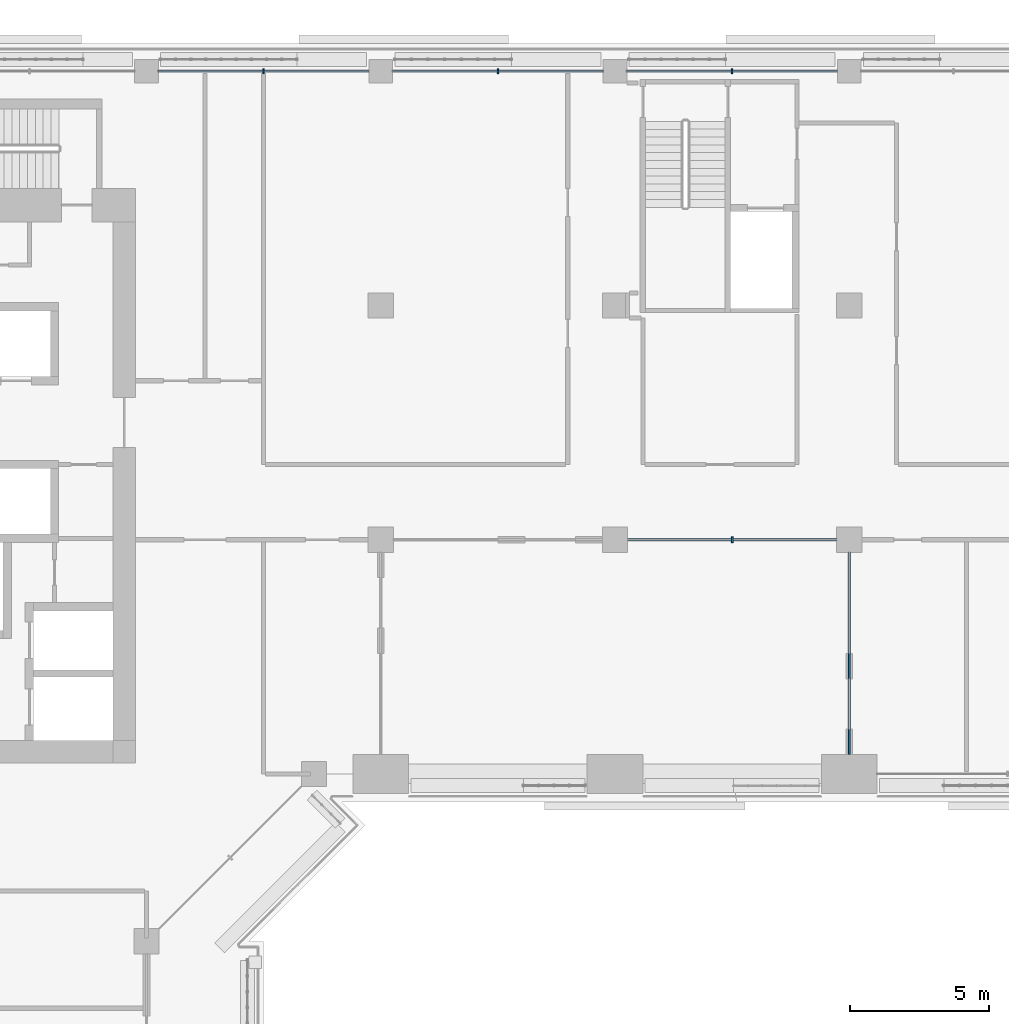
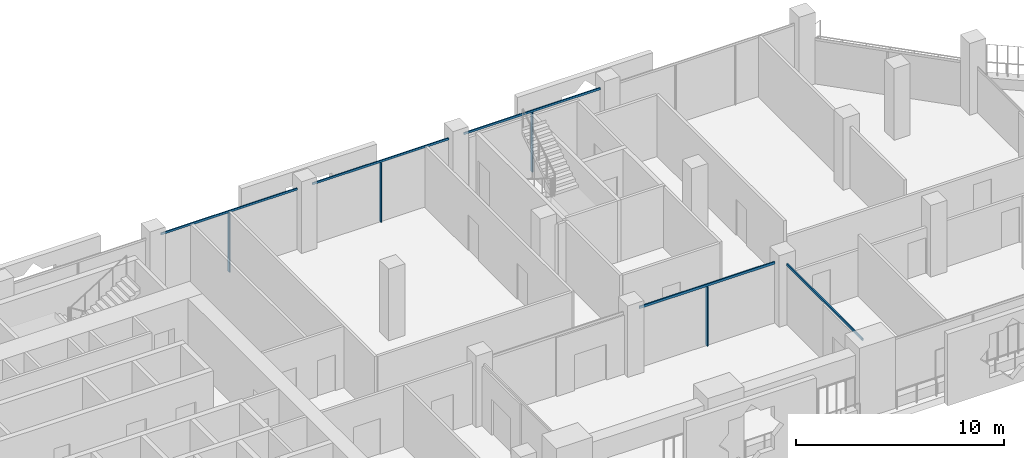
# One storey, part 8 of 24: 9 members, 3 elements without a shape of their own.
"""IFC4 building model written with IfcOpenShell, lengths in metres."""

import ifcopenshell
import ifcopenshell.guid

model = None  # the IFC model being written
_history = None  # IfcOwnerHistory: only IFC2X3 demands one
_inside = {}  # id of a spatial element -> (the spatial element, [elements in it])
_under = {}  # id of a project, library or spatial element -> (it, [spatial elements below it])
_declared = {}  # id of a project -> (the project, [libraries it declares])
_typed = {}  # id of a type object -> (the type object, [elements of that type])
_made_of = {}  # id of a material, layer set ... -> (it, [elements and type objects made of it])


def new_model(schema):
    """Start an empty IFC model of exactly this schema.

    Asked for "IFC4X3", IfcOpenShell would pick the latest addendum, in which some entities
    have other attributes; the version numbers below select the first issue.
    IFC2X3 requires an IfcOwnerHistory on every rooted entity: one is made here for all.
    """
    global model, _history
    if schema == "IFC4X3":
        model = ifcopenshell.file(schema_version=(4, 3, 0, 0))
    else:
        model = ifcopenshell.file(schema=schema)
    _inside.clear()
    _under.clear()
    _declared.clear()
    _typed.clear()
    _made_of.clear()
    _history = None
    if model.schema == "IFC2X3":
        org = make("IfcOrganization", Name="unknown")
        user = make(
            "IfcPersonAndOrganization",
            ThePerson=make("IfcPerson", FamilyName="unknown"),
            TheOrganization=org,
        )
        app = make(
            "IfcApplication",
            ApplicationDeveloper=org,
            Version="unknown",
            ApplicationFullName="unknown",
            ApplicationIdentifier="unknown",
        )
        _history = make(
            "IfcOwnerHistory",
            OwningUser=user,
            OwningApplication=app,
            ChangeAction="ADDED",
            CreationDate=0,
        )
    return model


def make(cls, **values):
    """One entity of the class cls with the attributes given. An attribute that is None is left unset."""
    return model.create_entity(
        cls, **{name: value for name, value in values.items() if value is not None}
    )


def rooted(cls, **values):
    """An entity with a GlobalId (a new one), such as an element, a storey or a relation."""
    return make(cls, GlobalId=ifcopenshell.guid.new(), OwnerHistory=_history, **values)


def si_unit(unit_type, name, prefix=None):
    """IfcSIUnit, for example si_unit("LENGTHUNIT", "METRE", prefix="MILLI")."""
    return make("IfcSIUnit", UnitType=unit_type, Prefix=prefix, Name=name)


def assignment(units):
    """IfcUnitAssignment: the units of a project."""
    return None if units is None else make("IfcUnitAssignment", Units=units)


def point(xyz):
    """IfcCartesianPoint."""
    return None if xyz is None else make("IfcCartesianPoint", Coordinates=xyz)


def direction(xyz):
    """IfcDirection."""
    return None if xyz is None else make("IfcDirection", DirectionRatios=xyz)


def frame(location, z_axis=None, x_axis=None):
    """IfcAxis2Placement3D, a coordinate frame: its origin and axes. An axis left out is left unset."""
    return make(
        "IfcAxis2Placement3D",
        Location=point(location),
        Axis=direction(z_axis),
        RefDirection=direction(x_axis),
    )


def frame_2d(location, x_axis=None):
    """IfcAxis2Placement2D, a coordinate frame in the plane: its origin and x axis."""
    return make(
        "IfcAxis2Placement2D", Location=point(location), RefDirection=direction(x_axis)
    )


def origin():
    """The frame at (0, 0, 0) with its axes left unset."""
    return frame((0.0, 0.0, 0.0))


def origin_2d():
    """The frame at (0, 0) in the plane with its x axis left unset."""
    return frame_2d((0.0, 0.0))


def place(relative_to, where):
    """IfcLocalPlacement: puts the frame where relative to a parent placement (None: the world)."""
    return make(
        "IfcLocalPlacement", PlacementRelTo=relative_to, RelativePlacement=where
    )


def context(
    kind, dimensions, precision=None, world=None, true_north=None, identifier=None
):
    """IfcGeometricRepresentationContext, for example the 3D "Model" context."""
    return make(
        "IfcGeometricRepresentationContext",
        ContextIdentifier=identifier,
        ContextType=kind,
        CoordinateSpaceDimension=dimensions,
        Precision=precision,
        WorldCoordinateSystem=world,
        TrueNorth=true_north,
    )


def subcontext(parent, identifier, kind, view, scale=None):
    """IfcGeometricRepresentationSubContext, for example "Body" below "Model"."""
    return make(
        "IfcGeometricRepresentationSubContext",
        ContextIdentifier=identifier,
        ContextType=kind,
        ParentContext=parent,
        TargetScale=scale,
        TargetView=view,
    )


def project(units=None, contexts=None):
    """IfcProject with its units and contexts."""
    return rooted(
        "IfcProject",
        Name="project",
        RepresentationContexts=contexts,
        UnitsInContext=assignment(units),
    )


def spatial(cls, under=None, at=None, **own):
    """A site, building, storey or space (cls), placed at a placement, below another one or the project."""
    s = rooted(cls, ObjectPlacement=at, **own)
    if under is not None:
        _under.setdefault(under.id(), (under, []))[1].append(s)
    return s


def profile(cls, at=None, kind="AREA", **sizes):
    """A parametric profile (cls). Its sizes go by their IFC names, for example OverallWidth=200.0."""
    return make(cls, ProfileType=kind, Position=at, **sizes)


def rectangle(**sizes):
    """IfcRectangleProfileDef."""
    return profile("IfcRectangleProfileDef", **sizes)


def extrude(swept, where, along, depth):
    """IfcExtrudedAreaSolid: the profile swept, set in the frame where, extruded along a direction by depth."""
    return make(
        "IfcExtrudedAreaSolid",
        SweptArea=swept,
        Position=where,
        ExtrudedDirection=direction(along),
        Depth=depth,
    )


def shape(context_of_items, identifier, shape_type, items):
    """IfcShapeRepresentation: the items that make up one representation, for example the "Body"."""
    return make(
        "IfcShapeRepresentation",
        ContextOfItems=context_of_items,
        RepresentationIdentifier=identifier,
        RepresentationType=shape_type,
        Items=items,
    )


def material(Name=None, Category=None):
    """IfcMaterial."""
    return make("IfcMaterial", Name=Name, Category=Category)


def layer(
    of_material, thickness, ventilated=None, Name=None, Category=None, Priority=None
):
    """IfcMaterialLayer: one layer of a wall or slab, of a material (None: an air gap)."""
    return make(
        "IfcMaterialLayer",
        Material=of_material,
        LayerThickness=thickness,
        IsVentilated=ventilated,
        Name=Name,
        Category=Category,
        Priority=Priority,
    )


def layer_set(layers, Name=None):
    """IfcMaterialLayerSet."""
    return make("IfcMaterialLayerSet", MaterialLayers=layers, LayerSetName=Name)


def material_profile(
    of_material, cross_section, Name=None, Category=None, Priority=None
):
    """IfcMaterialProfile: a cross section and its material."""
    return make(
        "IfcMaterialProfile",
        Name=Name,
        Material=of_material,
        Profile=cross_section,
        Priority=Priority,
        Category=Category,
    )


def profile_set(profiles, Name=None, composite=None):
    """IfcMaterialProfileSet."""
    return make(
        "IfcMaterialProfileSet",
        Name=Name,
        MaterialProfiles=profiles,
        CompositeProfile=composite,
    )


def made_of(thing, what):
    """Note that an element or type object is made of a material, layer set ...; save() writes the relation."""
    if what is not None:
        _made_of.setdefault(what.id(), (what, []))[1].append(thing)
    return thing


def type_object(cls, material=None, **own):
    """A type object (cls), such as IfcWallType, which elements share."""
    return made_of(rooted(cls, **own), material)


def element(
    cls,
    number,
    at=None,
    inside=None,
    cuts=None,
    type_object=None,
    material=None,
    context=None,
    identifier="Body",
    shape_type=None,
    held_by="IfcProductDefinitionShape",
    body=None,
    shapes=None,
    **own,
):
    """One element of the class cls, such as IfcWall. Its Tag is "e" and its number.

    at: its placement. inside: the storey or other place that contains it. cuts: it is an
    opening in that element (IfcRelVoidsElement). A single representation is given by context,
    identifier, shape_type and body (its items); several are given by shapes. held_by: the class
    of the entity that holds the representations. save() writes the other relations.
    """
    e = rooted(cls, Tag="e%d" % number, ObjectPlacement=at, **own)
    if body is not None:
        shapes = [shape(context, identifier, shape_type, body)]
    if shapes is not None:
        e.Representation = make(held_by, Representations=shapes)
    if inside is not None:
        _inside.setdefault(inside.id(), (inside, []))[1].append(e)
    if cuts is not None:
        rooted(
            "IfcRelVoidsElement", RelatingBuildingElement=cuts, RelatedOpeningElement=e
        )
    if type_object is not None:
        _typed.setdefault(type_object.id(), (type_object, []))[1].append(e)
    return made_of(e, material)


def aggregate(whole, parts):
    """IfcRelAggregates: a whole, such as a stair, and the parts it consists of."""
    return rooted("IfcRelAggregates", RelatingObject=whole, RelatedObjects=parts)


def save(model, path):
    """Write the relations noted so far, then the file.

    IfcRelAggregates (storeys below a building ...), IfcRelContainedInSpatialStructure (elements
    in a storey), IfcRelDefinesByType, IfcRelAssociatesMaterial and IfcRelDeclares: one each for
    every whole, place, type object, material and project.
    """
    for whole, parts in _under.values():
        aggregate(whole, parts)
    for where, things in _inside.values():
        rooted(
            "IfcRelContainedInSpatialStructure",
            RelatedElements=things,
            RelatingStructure=where,
        )
    for kind, things in _typed.values():
        rooted("IfcRelDefinesByType", RelatedObjects=things, RelatingType=kind)
    for what, things in _made_of.values():
        rooted("IfcRelAssociatesMaterial", RelatedObjects=things, RelatingMaterial=what)
    for by, libraries in _declared.values():
        rooted("IfcRelDeclares", RelatingContext=by, RelatedDefinitions=libraries)
    model.write(path)


model = new_model("IFC4")

# Units and contexts
model_context = context("Model", 3, precision=1e-05, world=origin(), true_north=direction((0.0, 1.0)))
body_context = subcontext(model_context, "Body", "Model", "MODEL_VIEW")
ifc_project = project(units=[si_unit("LENGTHUNIT", "METRE"), si_unit("AREAUNIT", "SQUARE_METRE"), si_unit("VOLUMEUNIT", "CUBIC_METRE"), si_unit("PLANEANGLEUNIT", "RADIAN"), si_unit("MASSUNIT", "GRAM", prefix="KILO")], contexts=[model_context])

# Site, building, storey
site_placement = place(None, origin())
site = spatial("IfcSite", under=ifc_project, at=site_placement, CompositionType="ELEMENT")
building_placement = place(site_placement, origin())
building = spatial("IfcBuilding", under=site, at=building_placement, Name="Kawkab Arch Medical Tower", CompositionType="ELEMENT")
storey_placement = place(building_placement, frame((0.0, 0.0, 218.0)))
storey = spatial("IfcBuildingStorey", under=building, at=storey_placement, Name="L50", CompositionType="ELEMENT", Elevation=218.0)

# Curtain wall, members
ifc_material_1 = material(Name="Bronze anodised aluminium curtain wall frame", Category="aluminium")
ifc_layer_1 = layer(ifc_material_1, 0.159912109375)
ifc_layer_set_1 = layer_set([ifc_layer_1], Name="Bronze anodised aluminium curtain wall frame")
curtain_wall_type_1 = type_object("IfcCurtainWallType", Name="CW1 ward curtain wall", PredefinedType="NOTDEFINED", material=ifc_layer_set_1)
placement = place(storey_placement, origin())
curtain_wall_1 = element("IfcCurtainWall", 1, at=placement, inside=storey, type_object=curtain_wall_type_1, Name="CW1 Ward curtain wall R09", PredefinedType="NOTDEFINED")
ifc_material_2 = material(Name="Bronze anodised aluminium curtain wall frame", Category="aluminium")
ifc_material_profile_1 = material_profile(ifc_material_2, rectangle(XDim=0.179931640625, YDim=0.06005859375, at=origin_2d()), Name="AL 60x180")
ifc_profile_set_1 = profile_set([ifc_material_profile_1], Name="Bronze anodised aluminium curtain wall frame")
member_type_1 = type_object("IfcMemberType", Name="CW1 mullion 60 x 180", PredefinedType="MULLION", material=ifc_profile_set_1)
member_1_placement = place(storey_placement, frame((46.199951171875, 0.0, 0.0), z_axis=(0.0, 0.0, 1.0), x_axis=(0.0, -1.0, 0.0)))
member_1 = element("IfcMember", 2, at=member_1_placement, type_object=member_type_1, Name="CW1 mullion 2.1", PredefinedType="MULLION", context=body_context, shape_type="SweptSolid", body=[
    extrude(rectangle(XDim=0.179931640625, YDim=0.06005859375, at=origin_2d()), origin(), (0.0, 0.0, 1.0), 3.47998046875),
])
member_2_placement = place(storey_placement, frame((37.800048828125, 0.0, 0.0), z_axis=(0.0, 0.0, 1.0), x_axis=(0.0, -1.0, 0.0)))
member_2 = element("IfcMember", 3, at=member_2_placement, type_object=member_type_1, Name="CW1 mullion 3.1", PredefinedType="MULLION", context=body_context, shape_type="SweptSolid", body=[
    extrude(rectangle(XDim=0.179931640625, YDim=0.06005859375, at=origin_2d()), origin(), (0.0, 0.0, 1.0), 3.47998046875),
])
member_3_placement = place(storey_placement, frame((29.39990234375, 0.0, 0.0), z_axis=(0.0, 0.0, 1.0), x_axis=(0.0, -1.0, 0.0)))
member_3 = element("IfcMember", 4, at=member_3_placement, type_object=member_type_1, Name="CW1 mullion 4.1", PredefinedType="MULLION", context=body_context, shape_type="SweptSolid", body=[
    extrude(rectangle(XDim=0.179931640625, YDim=0.06005859375, at=origin_2d()), origin(), (0.0, 0.0, 1.0), 3.47998046875),
])
ifc_material_3 = material(Name="Bronze anodised aluminium curtain wall frame", Category="aluminium")
ifc_material_profile_2 = material_profile(ifc_material_3, rectangle(XDim=0.06005859375, YDim=0.1201171875, at=origin_2d()), Name="AL 60x120")
ifc_profile_set_2 = profile_set([ifc_material_profile_2], Name="Bronze anodised aluminium curtain wall frame")
member_type_2 = type_object("IfcMemberType", Name="CW1 transom 120 x 60", PredefinedType="USERDEFINED", material=ifc_profile_set_2)
member_4_placement = place(storey_placement, frame((49.97509765625, 0.0, 3.5400390625), z_axis=(-1.0, 0.0, 0.0), x_axis=(0.0, -1.0, 0.0)))
member_4 = element("IfcMember", 5, at=member_4_placement, type_object=member_type_2, Name="CW1 transom 2", ObjectType="TRANSOM", PredefinedType="USERDEFINED", context=body_context, shape_type="SweptSolid", body=[
    extrude(rectangle(XDim=0.06005859375, YDim=0.1201171875, at=origin_2d()), origin(), (0.0, 0.0, 1.0), 7.550048828125),
])
member_5_placement = place(storey_placement, frame((41.574951171875, 0.0, 3.5400390625), z_axis=(-1.0, 0.0, 0.0), x_axis=(0.0, -1.0, 0.0)))
member_5 = element("IfcMember", 6, at=member_5_placement, type_object=member_type_2, Name="CW1 transom 3", ObjectType="TRANSOM", PredefinedType="USERDEFINED", context=body_context, shape_type="SweptSolid", body=[
    extrude(rectangle(XDim=0.06005859375, YDim=0.1201171875, at=origin_2d()), origin(), (0.0, 0.0, 1.0), 7.550048828125),
])
member_6_placement = place(storey_placement, frame((33.175048828125, 0.0, 3.5400390625), z_axis=(-1.0, 0.0, 0.0), x_axis=(0.0, -1.0, 0.0)))
member_6 = element("IfcMember", 7, at=member_6_placement, type_object=member_type_2, Name="CW1 transom 4", ObjectType="TRANSOM", PredefinedType="USERDEFINED", context=body_context, shape_type="SweptSolid", body=[
    extrude(rectangle(XDim=0.06005859375, YDim=0.1201171875, at=origin_2d()), origin(), (0.0, 0.0, 1.0), 7.550048828125),
])
aggregate(curtain_wall_1, [member_4, member_1, member_5, member_2, member_6, member_3])

ifc_material_4 = material(Name="Bronze anodised aluminium curtain wall frame", Category="aluminium")
ifc_layer_2 = layer(ifc_material_4, 0.159912109375)
ifc_layer_set_2 = layer_set([ifc_layer_2], Name="Bronze anodised aluminium curtain wall frame")
curtain_wall_type_2 = type_object("IfcCurtainWallType", Name="CW3 sky garden curtain wall", PredefinedType="NOTDEFINED", material=ifc_layer_set_2)
curtain_wall_2 = element("IfcCurtainWall", 8, at=placement, inside=storey, type_object=curtain_wall_type_2, Name="CW3 Sky garden curtain wall R03", PredefinedType="NOTDEFINED")
ifc_material_5 = material(Name="Bronze anodised aluminium curtain wall frame", Category="aluminium")
ifc_material_profile_3 = material_profile(ifc_material_5, rectangle(XDim=0.219970703125, YDim=0.070068359375, at=origin_2d()), Name="AL 70x220")
ifc_profile_set_3 = profile_set([ifc_material_profile_3], Name="Bronze anodised aluminium curtain wall frame")
member_type_3 = type_object("IfcMemberType", Name="CW3 mullion 70 x 220", PredefinedType="MULLION", material=ifc_profile_set_3)
member_7_placement = place(storey_placement, frame((46.199951171875, -16.800048828125, 0.0), z_axis=(0.0, 0.0, 1.0), x_axis=(0.0, 1.0, 0.0)))
member_7 = element("IfcMember", 9, at=member_7_placement, type_object=member_type_3, Name="CW3 mullion 2.1", PredefinedType="MULLION", context=body_context, shape_type="SweptSolid", body=[
    extrude(rectangle(XDim=0.219970703125, YDim=0.070068359375, at=origin_2d()), origin(), (0.0, 0.0, 1.0), 3.4599609375),
])
ifc_material_6 = material(Name="Bronze anodised aluminium curtain wall frame", Category="aluminium")
ifc_material_profile_4 = material_profile(ifc_material_6, rectangle(XDim=0.070068359375, YDim=0.139892578125, at=origin_2d()), Name="AL 70x140")
ifc_profile_set_4 = profile_set([ifc_material_profile_4], Name="Bronze anodised aluminium curtain wall frame")
member_type_4 = type_object("IfcMemberType", Name="CW3 transom 140 x 70", PredefinedType="USERDEFINED", material=ifc_profile_set_4)
member_8_placement = place(storey_placement, frame((42.449951171875, -16.800048828125, 3.530029296875), z_axis=(1.0, 0.0, 0.0), x_axis=(0.0, 1.0, 0.0)))
member_8 = element("IfcMember", 10, at=member_8_placement, type_object=member_type_4, Name="CW3 transom 2", ObjectType="TRANSOM", PredefinedType="USERDEFINED", context=body_context, shape_type="SweptSolid", body=[
    extrude(rectangle(XDim=0.070068359375, YDim=0.139892578125, at=origin_2d()), origin(), (0.0, 0.0, 1.0), 7.5),
])
aggregate(curtain_wall_2, [member_8, member_7])

# Curtain wall, member
curtain_wall_3 = element("IfcCurtainWall", 11, at=placement, inside=storey, type_object=curtain_wall_type_2, Name="CW3 Sky garden curtain wall R04", PredefinedType="NOTDEFINED")
member_9_placement = place(storey_placement, frame((50.39990234375, -17.25, 3.530029296875), z_axis=(0.0, -1.0, 0.0), x_axis=(1.0, 0.0, 0.0)))
member_9 = element("IfcMember", 12, at=member_9_placement, type_object=member_type_4, Name="CW3 transom 1", ObjectType="TRANSOM", PredefinedType="USERDEFINED", context=body_context, shape_type="SweptSolid", body=[
    extrude(rectangle(XDim=0.070068359375, YDim=0.139892578125, at=origin_2d()), origin(), (0.0, 0.0, 1.0), 7.25),
])
aggregate(curtain_wall_3, [member_9])

save(model, "model.ifc")
